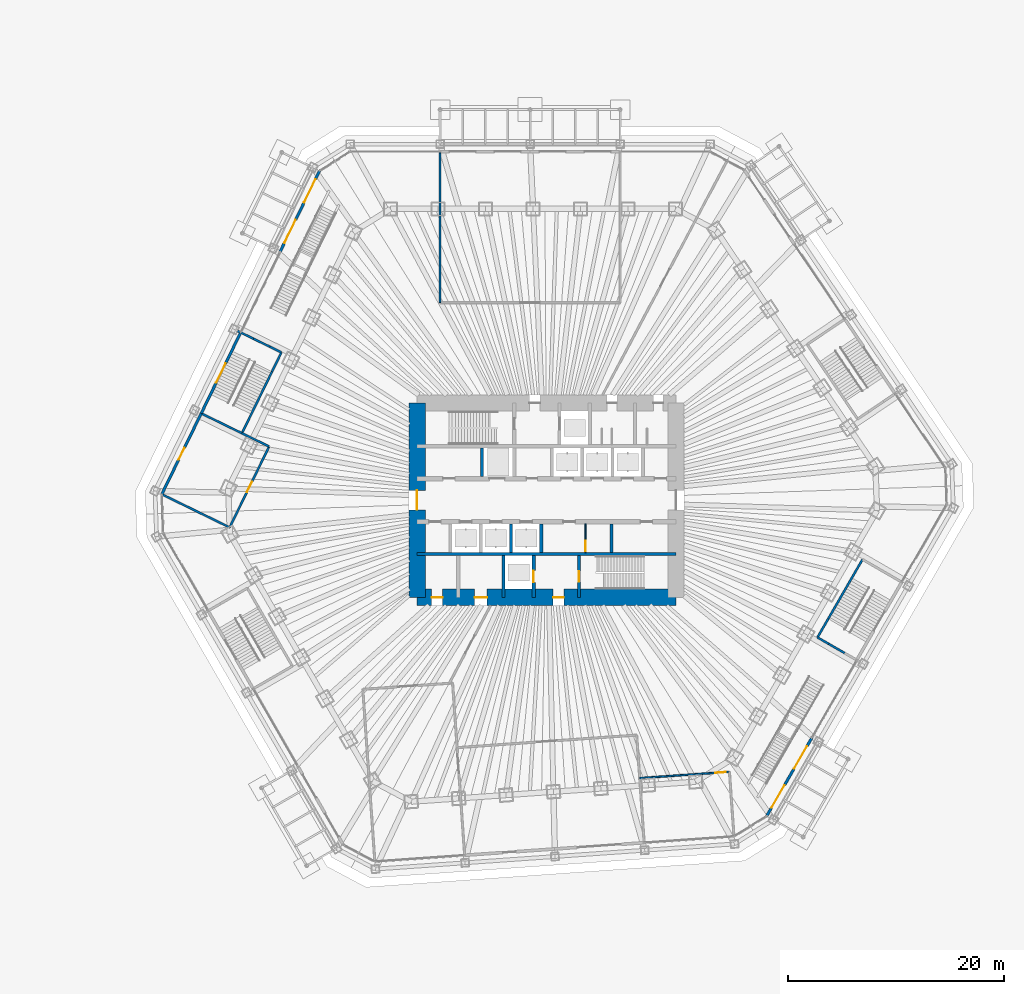
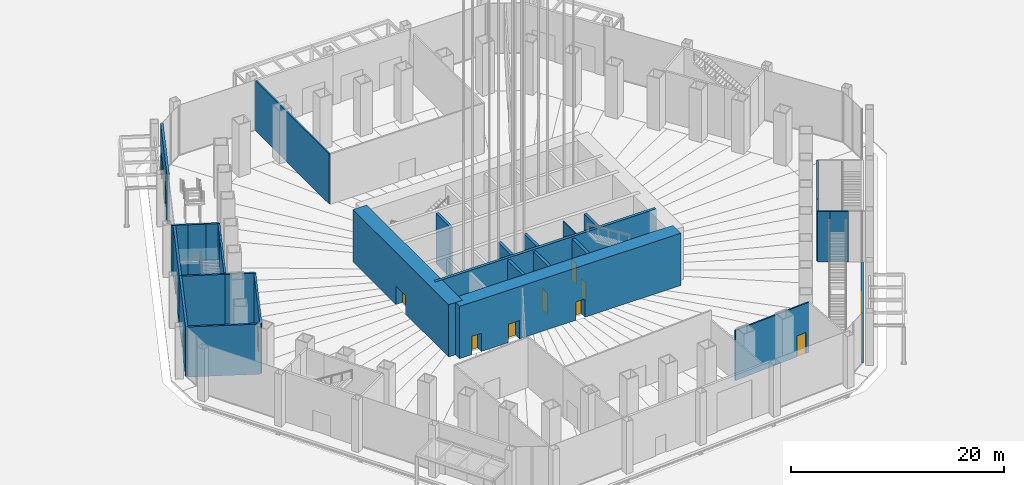
# One storey, part 28 of 45: 30 walls, 15 doors, 15 openings.
"""IFC4 building model written with IfcOpenShell, lengths in metres."""

from ifc_helpers import new_model, si_unit, direction, frame, frame_2d, origin, place, context, subcontext, project, spatial, rectangle, extrude, material, layer, layer_set, type_object, element, fill, save


model = new_model("IFC4")

# Units and contexts
model_context = context("Model", 3, precision=1e-05, world=origin(), true_north=direction((0.0, 1.0)))
body_context = subcontext(model_context, "Body", "Model", "MODEL_VIEW")
ifc_project = project(units=[si_unit("LENGTHUNIT", "METRE"), si_unit("AREAUNIT", "SQUARE_METRE"), si_unit("VOLUMEUNIT", "CUBIC_METRE"), si_unit("PLANEANGLEUNIT", "RADIAN"), si_unit("MASSUNIT", "GRAM", prefix="KILO")], contexts=[model_context])

# Site, building, storey
site_placement = place(None, origin())
site = spatial("IfcSite", under=ifc_project, at=site_placement, CompositionType="ELEMENT")
building_placement = place(site_placement, origin())
building = spatial("IfcBuilding", under=site, at=building_placement, Name="Qingtian Harvest Tower", CompositionType="ELEMENT")
storey_placement = place(building_placement, origin())
storey = spatial("IfcBuildingStorey", under=building, at=storey_placement, Name="L00", CompositionType="ELEMENT", Elevation=0.0)

# Walls
ifc_material_1 = material(Name="Concrete fc' 70 MPa", Category="concrete")
ifc_layer_1 = layer(ifc_material_1, 0.300048828125)
ifc_layer_set_1 = layer_set([ifc_layer_1], Name="Core inner wall RC5 300")
wall_type_1 = type_object("IfcWallType", Name="Core inner wall RC5 300", PredefinedType="SHEAR", material=ifc_layer_set_1)
wall_1_placement = place(storey_placement, frame((-12.0, -5.0, 0.0), z_axis=(0.0, 0.0, 1.0), x_axis=(1.0, 0.0, 0.0)))
element("IfcWall", 1, at=wall_1_placement, inside=storey, type_object=wall_type_1, Name="Core wall IS5 L00", PredefinedType="SHEAR", context=body_context, shape_type="SweptSolid", body=[
    extrude(rectangle(XDim=24.0, YDim=0.300048828125, at=frame_2d((12.0, 0.0))), origin(), (0.0, 0.0, 1.0), 6.0),
])
ifc_material_2 = material(Name="Precast concrete shaft panel", Category="concrete")
ifc_layer_2 = layer(ifc_material_2, 0.300048828125)
ifc_layer_set_2 = layer_set([ifc_layer_2], Name="Core shaft partition SW1 300")
wall_type_2 = type_object("IfcWallType", Name="Core shaft partition SW1 300", PredefinedType="PARTITIONING", material=ifc_layer_set_2)
for number, where, z_axis, x_axis, name in (
    (2, (-6.0, 2.199951171875, 0.0), (0.0, 0.0, 1.0), (0.0, 1.0, 0.0), "Core shaft partition XA1 L00"),
    (3, (-3.300048828125, -4.85009765625, 0.0), (0.0, 0.0, 1.0), (0.0, 1.0, 0.0), "Core shaft partition XB3 L00"),
    (4, (-0.5, -4.85009765625, 0.0), (0.0, 0.0, 1.0), (0.0, 1.0, 0.0), "Core shaft partition XB4 L00"),
    (5, (6.0, -4.85009765625, 0.0), (0.0, 0.0, 1.0), (0.0, 1.0, 0.0), "Core shaft partition XB5 L00"),
):
    element("IfcWall", number, at=place(storey_placement, frame(where, z_axis=z_axis, x_axis=x_axis)), inside=storey, type_object=wall_type_2, Name=name, PredefinedType="PARTITIONING", context=body_context, shape_type="SweptSolid", body=[
        extrude(rectangle(XDim=2.650146484375, YDim=0.300048828125, at=frame_2d((1.3251953125, 0.0))), origin(), (0.0, 0.0, 1.0), 5.780029296875),
    ])
wall_2_placement = place(storey_placement, frame((-4.0, -9.0, 0.0), z_axis=(0.0, 0.0, 1.0), x_axis=(0.0, 1.0, 0.0)))
element("IfcWall", 6, at=wall_2_placement, inside=storey, type_object=wall_type_2, Name="Core shaft partition XS2 L00", PredefinedType="PARTITIONING", context=body_context, shape_type="SweptSolid", body=[
    extrude(rectangle(XDim=3.85009765625, YDim=0.300048828125, at=frame_2d((1.925048828125, 0.0))), origin(), (0.0, 0.0, 1.0), 5.780029296875),
])

# Wall, opening, door
wall_3_placement = place(storey_placement, frame((-1.199951171875, -9.0, 0.0), z_axis=(0.0, 0.0, 1.0), x_axis=(0.0, 1.0, 0.0)))
wall_3 = element("IfcWall", 7, at=wall_3_placement, inside=storey, type_object=wall_type_2, Name="Core shaft partition XS3 L00", PredefinedType="PARTITIONING", context=body_context, shape_type="SweptSolid", body=[
    extrude(rectangle(XDim=3.85009765625, YDim=0.300048828125, at=frame_2d((1.925048828125, 0.0))), origin(), (0.0, 0.0, 1.0), 5.780029296875),
])
opening_1_placement = place(wall_3_placement, frame((1.375, 0.0, 0.0)))
opening_1 = element("IfcOpeningElement", 8, at=opening_1_placement, cuts=wall_3, Name="Opening LD1", PredefinedType="OPENING", context=body_context, shape_type="SweptSolid", body=[
    extrude(rectangle(XDim=1.10009765625, YDim=2.39990234375, at=frame_2d((0.550048828125, 1.199951171875))), frame((0.0, 0.159912109375, 0.0), z_axis=(0.0, -1.0, 0.0), x_axis=(1.0, 0.0, 0.0)), (0.0, 0.0, 1.0), 0.320068359375),
])
ifc_material_3 = material(Name="Stainless steel lift landing door", Category="steel")
door_type_1 = type_object("IfcDoorType", Name="Lift landing door LD1 1 HR", OperationType="DOUBLE_DOOR_SLIDING", PredefinedType="DOOR", material=ifc_material_3)
door_1_placement = place(opening_1_placement, origin())
door_1 = element("IfcDoor", 9, at=door_1_placement, inside=storey, type_object=door_type_1, Name="FL2 landing door L00", OperationType="DOUBLE_DOOR_SLIDING", OverallHeight=2.39990234375, OverallWidth=1.10009765625, PredefinedType="DOOR", context=body_context, shape_type="SweptSolid", body=[
    extrude(rectangle(XDim=1.10009765625, YDim=2.39990234375, at=frame_2d((0.550048828125, 1.199951171875))), frame((0.0, 0.02490234375, 0.0), z_axis=(0.0, -1.0, 0.0), x_axis=(1.0, 0.0, 0.0)), (0.0, 0.0, 1.0), 0.050048828125),
])
fill(opening_1, door_1)

wall_4_placement = place(storey_placement, frame((3.0, -9.0, 0.0), z_axis=(0.0, 0.0, 1.0), x_axis=(0.0, 1.0, 0.0)))
wall_4 = element("IfcWall", 10, at=wall_4_placement, inside=storey, type_object=wall_type_2, Name="Core shaft partition XS4 L00", PredefinedType="PARTITIONING", context=body_context, shape_type="SweptSolid", body=[
    extrude(rectangle(XDim=3.85009765625, YDim=0.300048828125, at=frame_2d((1.925048828125, 0.0))), origin(), (0.0, 0.0, 1.0), 5.780029296875),
])
opening_2_placement = place(wall_4_placement, frame((1.425048828125, 0.0, 0.0)))
opening_2 = element("IfcOpeningElement", 11, at=opening_2_placement, cuts=wall_4, Name="Opening FD1", PredefinedType="OPENING", context=body_context, shape_type="SweptSolid", body=[
    extrude(rectangle(XDim=1.0, YDim=2.10009765625, at=frame_2d((0.5, 1.050048828125))), frame((0.0, 0.159912109375, 0.0), z_axis=(0.0, -1.0, 0.0), x_axis=(1.0, 0.0, 0.0)), (0.0, 0.0, 1.0), 0.320068359375),
])
ifc_material_4 = material(Name="Steel-faced door leaf", Category="steel")
door_type_2 = type_object("IfcDoorType", Name="Fire door FD1 single 1 HR", OperationType="SINGLE_SWING_LEFT", PredefinedType="DOOR", material=ifc_material_4)
door_2_placement = place(opening_2_placement, origin())
door_2 = element("IfcDoor", 12, at=door_2_placement, inside=storey, type_object=door_type_2, Name="S2 door L00", OperationType="SINGLE_SWING_RIGHT", OverallHeight=2.10009765625, OverallWidth=1.0, PredefinedType="DOOR", context=body_context, shape_type="SweptSolid", body=[
    extrude(rectangle(XDim=1.0, YDim=2.10009765625, at=frame_2d((0.5, 1.050048828125))), frame((0.0, 0.02490234375, 0.0), z_axis=(0.0, -1.0, 0.0), x_axis=(1.0, 0.0, 0.0)), (0.0, 0.0, 1.0), 0.050048828125),
])
fill(opening_2, door_2)

# Wall, openings, doors
ifc_material_5 = material(Name="Concrete fc' 70 MPa", Category="concrete")
ifc_layer_3 = layer(ifc_material_5, 1.5)
ifc_layer_set_3 = layer_set([ifc_layer_3], Name="Core wall RC1 1500")
wall_type_3 = type_object("IfcWallType", Name="Core wall RC1 1500", PredefinedType="SHEAR", material=ifc_layer_set_3)
wall_5_placement = place(storey_placement, frame((-12.0, -9.0, 0.0), z_axis=(0.0, 0.0, 1.0), x_axis=(1.0, 0.0, 0.0)))
wall_5 = element("IfcWall", 13, at=wall_5_placement, inside=storey, type_object=wall_type_3, Name="Core wall CS L00", PredefinedType="SHEAR", context=body_context, shape_type="SweptSolid", body=[
    extrude(rectangle(XDim=24.0, YDim=1.5, at=frame_2d((12.0, 0.0))), origin(), (0.0, 0.0, 1.0), 6.0),
])
opening_3_placement = place(wall_5_placement, frame((1.35009765625, 0.0, 0.0)))
opening_3 = element("IfcOpeningElement", 14, at=opening_3_placement, cuts=wall_5, Name="Opening FD1", PredefinedType="OPENING", context=body_context, shape_type="SweptSolid", body=[
    extrude(rectangle(XDim=1.0, YDim=2.10009765625, at=frame_2d((0.5, 1.050048828125))), frame((0.0, 0.760009765625, 0.0), z_axis=(0.0, -1.0, 0.0), x_axis=(1.0, 0.0, 0.0)), (0.0, 0.0, 1.0), 1.52001953125),
])
opening_4_placement = place(wall_5_placement, frame((5.324951171875, 0.0, 0.0)))
opening_4 = element("IfcOpeningElement", 15, at=opening_4_placement, cuts=wall_5, Name="Opening AD1", PredefinedType="OPENING", context=body_context, shape_type="SweptSolid", body=[
    extrude(rectangle(XDim=1.14990234375, YDim=2.10009765625, at=frame_2d((0.574951171875, 1.050048828125))), frame((0.0, 0.760009765625, 0.0), z_axis=(0.0, -1.0, 0.0), x_axis=(1.0, 0.0, 0.0)), (0.0, 0.0, 1.0), 1.52001953125),
])
opening_5_placement = place(wall_5_placement, frame((12.60009765625, 0.0, 0.0)))
opening_5 = element("IfcOpeningElement", 16, at=opening_5_placement, cuts=wall_5, Name="Opening FD1", PredefinedType="OPENING", context=body_context, shape_type="SweptSolid", body=[
    extrude(rectangle(XDim=1.0, YDim=2.10009765625, at=frame_2d((0.5, 1.050048828125))), frame((0.0, 0.760009765625, 0.0), z_axis=(0.0, -1.0, 0.0), x_axis=(1.0, 0.0, 0.0)), (0.0, 0.0, 1.0), 1.52001953125),
])
ifc_material_6 = material(Name="Laminated timber door leaf", Category="wood")
door_type_3 = type_object("IfcDoorType", Name="Accessible WC door AD1 single", OperationType="SINGLE_SWING_LEFT", PredefinedType="DOOR", material=ifc_material_6)
door_3_placement = place(opening_4_placement, origin())
door_3 = element("IfcDoor", 17, at=door_3_placement, inside=storey, type_object=door_type_3, Name="AWC door L00", OperationType="SINGLE_SWING_LEFT", OverallHeight=2.10009765625, OverallWidth=1.14990234375, PredefinedType="DOOR", context=body_context, shape_type="SweptSolid", body=[
    extrude(rectangle(XDim=1.14990234375, YDim=2.10009765625, at=frame_2d((0.574951171875, 1.050048828125))), frame((0.0, 0.02490234375, 0.0), z_axis=(0.0, -1.0, 0.0), x_axis=(1.0, 0.0, 0.0)), (0.0, 0.0, 1.0), 0.050048828125),
])
fill(opening_4, door_3)
door_4_placement = place(opening_3_placement, origin())
door_4 = element("IfcDoor", 18, at=door_4_placement, inside=storey, type_object=door_type_2, Name="CLN door L00", OperationType="SINGLE_SWING_LEFT", OverallHeight=2.10009765625, OverallWidth=1.0, PredefinedType="DOOR", context=body_context, shape_type="SweptSolid", body=[
    extrude(rectangle(XDim=1.0, YDim=2.10009765625, at=frame_2d((0.5, 1.050048828125))), frame((0.0, 0.02490234375, 0.0), z_axis=(0.0, -1.0, 0.0), x_axis=(1.0, 0.0, 0.0)), (0.0, 0.0, 1.0), 0.050048828125),
])
fill(opening_3, door_4)
door_5_placement = place(opening_5_placement, origin())
door_5 = element("IfcDoor", 19, at=door_5_placement, inside=storey, type_object=door_type_2, Name="V2 door L00", OperationType="SINGLE_SWING_LEFT", OverallHeight=2.10009765625, OverallWidth=1.0, PredefinedType="DOOR", context=body_context, shape_type="SweptSolid", body=[
    extrude(rectangle(XDim=1.0, YDim=2.10009765625, at=frame_2d((0.5, 1.050048828125))), frame((0.0, 0.02490234375, 0.0), z_axis=(0.0, -1.0, 0.0), x_axis=(1.0, 0.0, 0.0)), (0.0, 0.0, 1.0), 0.050048828125),
])
fill(opening_5, door_5)

# Wall, opening, door
wall_6_placement = place(storey_placement, frame((-12.0, -9.0, 0.0), z_axis=(0.0, 0.0, 1.0), x_axis=(0.0, 1.0, 0.0)))
wall_6 = element("IfcWall", 20, at=wall_6_placement, inside=storey, type_object=wall_type_3, Name="Core wall CW L00", PredefinedType="SHEAR", context=body_context, shape_type="SweptSolid", body=[
    extrude(rectangle(XDim=18.0, YDim=1.5, at=frame_2d((9.0, 0.0))), origin(), (0.0, 0.0, 1.0), 6.0),
])
opening_6_placement = place(wall_6_placement, frame((8.10009765625, 0.0, 0.0)))
opening_6 = element("IfcOpeningElement", 21, at=opening_6_placement, cuts=wall_6, Name="Opening FD2", PredefinedType="OPENING", context=body_context, shape_type="SweptSolid", body=[
    extrude(rectangle(XDim=1.800048828125, YDim=2.10009765625, at=frame_2d((0.89990234375, 1.050048828125))), frame((0.0, 0.760009765625, 0.0), z_axis=(0.0, -1.0, 0.0), x_axis=(1.0, 0.0, 0.0)), (0.0, 0.0, 1.0), 1.52001953125),
])
ifc_material_7 = material(Name="Steel-faced door leaf", Category="steel")
door_type_4 = type_object("IfcDoorType", Name="Fire door FD2 double 1 HR", OperationType="DOUBLE_DOOR_DOUBLE_SWING", PredefinedType="DOOR", material=ifc_material_7)
door_6_placement = place(opening_6_placement, origin())
door_6 = element("IfcDoor", 22, at=door_6_placement, inside=storey, type_object=door_type_4, Name="LOBBY-W door L00", OperationType="DOUBLE_DOOR_DOUBLE_SWING", OverallHeight=2.10009765625, OverallWidth=1.800048828125, PredefinedType="DOOR", context=body_context, shape_type="SweptSolid", body=[
    extrude(rectangle(XDim=1.800048828125, YDim=2.10009765625, at=frame_2d((0.89990234375, 1.050048828125))), frame((0.0, 0.02490234375, 0.0), z_axis=(0.0, -1.0, 0.0), x_axis=(1.0, 0.0, 0.0)), (0.0, 0.0, 1.0), 0.050048828125),
])
fill(opening_6, door_6)

# Wall, openings, doors
ifc_material_8 = material(Name="Bronze-clad steel-framed screen wall with fire-rated lining", Category="steel")
ifc_layer_4 = layer(ifc_material_8, 0.25)
ifc_layer_set_4 = layer_set([ifc_layer_4], Name="Facade door bay wall FW2 250")
wall_type_4 = type_object("IfcWallType", Name="Facade door bay wall FW2 250", PredefinedType="SOLIDWALL", material=ifc_layer_set_4)
wall_7_placement = place(storey_placement, frame((24.5703125, -22.04296875, 0.0), z_axis=(0.0, 0.0, 1.0), x_axis=(-0.500004511595, -0.866022798998, 0.0)))
wall_7 = element("IfcWall", 23, at=wall_7_placement, inside=storey, type_object=wall_type_4, Name="Market hall entrance bay SE3", PredefinedType="SOLIDWALL", context=body_context, shape_type="SweptSolid", body=[
    extrude(rectangle(XDim=8.341796875, YDim=0.25, at=frame_2d((4.1708984375, 0.0))), origin(), (0.0, 0.0, 1.0), 5.75),
])
opening_7_placement = place(wall_7_placement, frame((0.885498046875, 0.0, 0.0)))
opening_7 = element("IfcOpeningElement", 24, at=opening_7_placement, cuts=wall_7, Name="Opening ED1", PredefinedType="OPENING", context=body_context, shape_type="SweptSolid", body=[
    extrude(rectangle(XDim=2.39990234375, YDim=3.0, at=frame_2d((1.199951171875, 1.5))), frame((0.0, 0.135009765625, 0.0), z_axis=(0.0, -1.0, 0.0), x_axis=(1.0, 0.0, 0.0)), (0.0, 0.0, 1.0), 0.27001953125),
])
opening_8_placement = place(wall_7_placement, frame((5.056396484375, 0.0, 0.0)))
opening_8 = element("IfcOpeningElement", 25, at=opening_8_placement, cuts=wall_7, Name="Opening ED1", PredefinedType="OPENING", context=body_context, shape_type="SweptSolid", body=[
    extrude(rectangle(XDim=2.39990234375, YDim=3.0, at=frame_2d((1.199951171875, 1.5))), frame((0.0, 0.135009765625, 0.0), z_axis=(0.0, -1.0, 0.0), x_axis=(1.0, 0.0, 0.0)), (0.0, 0.0, 1.0), 0.27001953125),
])
ifc_material_9 = material(Name="Bronze-framed glass door", Category="glass")
door_type_5 = type_object("IfcDoorType", Name="Entrance door ED1 double", OperationType="DOUBLE_DOOR_DOUBLE_SWING", PredefinedType="DOOR", material=ifc_material_9)
door_7_placement = place(opening_7_placement, origin())
door_7 = element("IfcDoor", 26, at=door_7_placement, inside=storey, type_object=door_type_5, Name="Market hall entrance SE3", OperationType="DOUBLE_DOOR_DOUBLE_SWING", OverallHeight=3.0, OverallWidth=2.39990234375, PredefinedType="DOOR", context=body_context, shape_type="SweptSolid", body=[
    extrude(rectangle(XDim=2.39990234375, YDim=3.0, at=frame_2d((1.199951171875, 1.5))), frame((0.0, 0.02490234375, 0.0), z_axis=(0.0, -1.0, 0.0), x_axis=(1.0, 0.0, 0.0)), (0.0, 0.0, 1.0), 0.050048828125),
])
fill(opening_7, door_7)
door_8_placement = place(opening_8_placement, origin())
door_8 = element("IfcDoor", 27, at=door_8_placement, inside=storey, type_object=door_type_5, Name="Market hall entrance SE3", OperationType="DOUBLE_DOOR_DOUBLE_SWING", OverallHeight=3.0, OverallWidth=2.39990234375, PredefinedType="DOOR", context=body_context, shape_type="SweptSolid", body=[
    extrude(rectangle(XDim=2.39990234375, YDim=3.0, at=frame_2d((1.199951171875, 1.5))), frame((0.0, 0.02490234375, 0.0), z_axis=(0.0, -1.0, 0.0), x_axis=(1.0, 0.0, 0.0)), (0.0, 0.0, 1.0), 0.050048828125),
])
fill(opening_8, door_8)

# Wall, opening, door
wall_8_placement = place(storey_placement, frame((-35.6708984375, 0.5458984375, 0.0), z_axis=(0.0, 0.0, 1.0), x_axis=(0.438388457998, 0.898785602852, 0.0)))
wall_8 = element("IfcWall", 28, at=wall_8_placement, inside=storey, type_object=wall_type_4, Name="Fire command centre door bay NW0", PredefinedType="SOLIDWALL", context=body_context, shape_type="SweptSolid", body=[
    extrude(rectangle(XDim=8.341796875, YDim=0.25, at=frame_2d((4.1708984375, 0.0))), origin(), (0.0, 0.0, 1.0), 5.75),
])
opening_9_placement = place(wall_8_placement, frame((3.57080078125, 0.0, 0.0)))
opening_9 = element("IfcOpeningElement", 29, at=opening_9_placement, cuts=wall_8, Name="Opening SD1", PredefinedType="OPENING", context=body_context, shape_type="SweptSolid", body=[
    extrude(rectangle(XDim=1.199951171875, YDim=2.10009765625, at=frame_2d((0.60009765625, 1.050048828125))), frame((0.0, 0.135009765625, 0.0), z_axis=(0.0, -1.0, 0.0), x_axis=(1.0, 0.0, 0.0)), (0.0, 0.0, 1.0), 0.27001953125),
])
ifc_material_10 = material(Name="Steel-faced door leaf", Category="steel")
door_type_6 = type_object("IfcDoorType", Name="Service door SD1 single", OperationType="SINGLE_SWING_LEFT", PredefinedType="DOOR", material=ifc_material_10)
door_9_placement = place(opening_9_placement, origin())
door_9 = element("IfcDoor", 30, at=door_9_placement, inside=storey, type_object=door_type_6, Name="Fire command centre door NW0", OperationType="SINGLE_SWING_RIGHT", OverallHeight=2.10009765625, OverallWidth=1.199951171875, PredefinedType="DOOR", context=body_context, shape_type="SweptSolid", body=[
    extrude(rectangle(XDim=1.199951171875, YDim=2.10009765625, at=frame_2d((0.60009765625, 1.050048828125))), frame((0.0, 0.02490234375, 0.0), z_axis=(0.0, -1.0, 0.0), x_axis=(1.0, 0.0, 0.0)), (0.0, 0.0, 1.0), 0.050048828125),
])
fill(opening_9, door_9)

wall_9_placement = place(storey_placement, frame((-32.013916015625, 8.04345703125, 0.0), z_axis=(0.0, 0.0, 1.0), x_axis=(0.438364815309, 0.898797134341, 0.0)))
wall_9 = element("IfcWall", 31, at=wall_9_placement, inside=storey, type_object=wall_type_4, Name="Exit stair discharge door bay NW1", PredefinedType="SOLIDWALL", context=body_context, shape_type="SweptSolid", body=[
    extrude(rectangle(XDim=8.341796875, YDim=0.25, at=frame_2d((4.1708984375, 0.0))), origin(), (0.0, 0.0, 1.0), 5.75),
])
opening_10_placement = place(wall_9_placement, frame((3.1708984375, 0.0, 0.0)))
opening_10 = element("IfcOpeningElement", 32, at=opening_10_placement, cuts=wall_9, Name="Opening XD1", PredefinedType="OPENING", context=body_context, shape_type="SweptSolid", body=[
    extrude(rectangle(XDim=2.0, YDim=2.39990234375, at=frame_2d((1.0, 1.199951171875))), frame((0.0, 0.135009765625, 0.0), z_axis=(0.0, -1.0, 0.0), x_axis=(1.0, 0.0, 0.0)), (0.0, 0.0, 1.0), 0.27001953125),
])
ifc_material_11 = material(Name="Steel-faced door leaf", Category="steel")
door_type_7 = type_object("IfcDoorType", Name="Exit discharge door XD1 double", OperationType="DOUBLE_DOOR_DOUBLE_SWING", PredefinedType="DOOR", material=ifc_material_11)
door_10_placement = place(opening_10_placement, origin())
door_10 = element("IfcDoor", 33, at=door_10_placement, inside=storey, type_object=door_type_7, Name="Exit stair discharge door NW1", OperationType="DOUBLE_DOOR_DOUBLE_SWING", OverallHeight=2.39990234375, OverallWidth=2.0, PredefinedType="DOOR", context=body_context, shape_type="SweptSolid", body=[
    extrude(rectangle(XDim=2.0, YDim=2.39990234375, at=frame_2d((1.0, 1.199951171875))), frame((0.0, 0.02490234375, 0.0), z_axis=(0.0, -1.0, 0.0), x_axis=(1.0, 0.0, 0.0)), (0.0, 0.0, 1.0), 0.050048828125),
])
fill(opening_10, door_10)

# Wall, openings, doors
wall_10_placement = place(storey_placement, frame((-24.700439453125, 23.03857421875, 0.0), z_axis=(0.0, 0.0, 1.0), x_axis=(0.438364815309, 0.898797134341, 0.0)))
wall_10 = element("IfcWall", 34, at=wall_10_placement, inside=storey, type_object=wall_type_4, Name="Market hall entrance bay NW3", PredefinedType="SOLIDWALL", context=body_context, shape_type="SweptSolid", body=[
    extrude(rectangle(XDim=8.341796875, YDim=0.25, at=frame_2d((4.1708984375, 0.0))), origin(), (0.0, 0.0, 1.0), 5.75),
])
opening_11_placement = place(wall_10_placement, frame((0.885498046875, 0.0, 0.0)))
opening_11 = element("IfcOpeningElement", 35, at=opening_11_placement, cuts=wall_10, Name="Opening ED1", PredefinedType="OPENING", context=body_context, shape_type="SweptSolid", body=[
    extrude(rectangle(XDim=2.39990234375, YDim=3.0, at=frame_2d((1.199951171875, 1.5))), frame((0.0, 0.135009765625, 0.0), z_axis=(0.0, -1.0, 0.0), x_axis=(1.0, 0.0, 0.0)), (0.0, 0.0, 1.0), 0.27001953125),
])
opening_12_placement = place(wall_10_placement, frame((5.056396484375, 0.0, 0.0)))
opening_12 = element("IfcOpeningElement", 36, at=opening_12_placement, cuts=wall_10, Name="Opening ED1", PredefinedType="OPENING", context=body_context, shape_type="SweptSolid", body=[
    extrude(rectangle(XDim=2.39990234375, YDim=3.0, at=frame_2d((1.199951171875, 1.5))), frame((0.0, 0.135009765625, 0.0), z_axis=(0.0, -1.0, 0.0), x_axis=(1.0, 0.0, 0.0)), (0.0, 0.0, 1.0), 0.27001953125),
])
door_11_placement = place(opening_11_placement, origin())
door_11 = element("IfcDoor", 37, at=door_11_placement, inside=storey, type_object=door_type_5, Name="Market hall entrance NW3", OperationType="DOUBLE_DOOR_DOUBLE_SWING", OverallHeight=3.0, OverallWidth=2.39990234375, PredefinedType="DOOR", context=body_context, shape_type="SweptSolid", body=[
    extrude(rectangle(XDim=2.39990234375, YDim=3.0, at=frame_2d((1.199951171875, 1.5))), frame((0.0, 0.02490234375, 0.0), z_axis=(0.0, -1.0, 0.0), x_axis=(1.0, 0.0, 0.0)), (0.0, 0.0, 1.0), 0.050048828125),
])
fill(opening_11, door_11)
door_12_placement = place(opening_12_placement, origin())
door_12 = element("IfcDoor", 38, at=door_12_placement, inside=storey, type_object=door_type_5, Name="Market hall entrance NW3", OperationType="DOUBLE_DOOR_DOUBLE_SWING", OverallHeight=3.0, OverallWidth=2.39990234375, PredefinedType="DOOR", context=body_context, shape_type="SweptSolid", body=[
    extrude(rectangle(XDim=2.39990234375, YDim=3.0, at=frame_2d((1.199951171875, 1.5))), frame((0.0, 0.02490234375, 0.0), z_axis=(0.0, -1.0, 0.0), x_axis=(1.0, 0.0, 0.0)), (0.0, 0.0, 1.0), 0.050048828125),
])
fill(opening_12, door_12)

# Walls
ifc_material_12 = material(Name="Blockwork fire wall", Category="masonry")
ifc_layer_5 = layer(ifc_material_12, 0.199951171875)
ifc_layer_set_5 = layer_set([ifc_layer_5], Name="Fire partition FW1 200")
wall_type_5 = type_object("IfcWallType", Name="Fire partition FW1 200", PredefinedType="PARTITIONING", material=ifc_layer_set_5)
wall_11_placement = place(storey_placement, frame((-35.580810546875, 0.501953125, 0.0), z_axis=(0.0, 0.0, 1.0), x_axis=(0.898799388667, -0.438360193142, 0.0)))
element("IfcWall", 39, at=wall_11_placement, inside=storey, type_object=wall_type_5, Name="Fire command centre wall L00", PredefinedType="PARTITIONING", context=body_context, shape_type="SweptSolid", body=[
    extrude(rectangle(XDim=6.89990234375, YDim=0.199951171875, at=frame_2d((3.449951171875, 0.0))), origin(), (0.0, 0.0, 1.0), 5.75),
])
wall_12_placement = place(storey_placement, frame((-28.239013671875, 6.2021484375, 0.0), z_axis=(0.0, 0.0, 1.0), x_axis=(0.898812855928, -0.438332579235, 0.0)))
element("IfcWall", 40, at=wall_12_placement, inside=storey, type_object=wall_type_5, Name="Fire command centre wall L00", PredefinedType="PARTITIONING", context=body_context, shape_type="SweptSolid", body=[
    extrude(rectangle(XDim=2.7998046875, YDim=0.199951171875, at=frame_2d((1.39990234375, 0.0))), origin(), (0.0, 0.0, 1.0), 5.75),
])

# Wall, opening, door
wall_13_placement = place(storey_placement, frame((-29.379150390625, -2.522705078125, 0.0), z_axis=(0.0, 0.0, 1.0), x_axis=(0.438364815309, 0.898797134341, 0.0)))
wall_13 = element("IfcWall", 41, at=wall_13_placement, inside=storey, type_object=wall_type_5, Name="Fire command centre wall L00", PredefinedType="PARTITIONING", context=body_context, shape_type="SweptSolid", body=[
    extrude(rectangle(XDim=8.341796875, YDim=0.199951171875, at=frame_2d((4.1708984375, 0.0))), origin(), (0.0, 0.0, 1.0), 5.75),
])
opening_13_placement = place(wall_13_placement, frame((3.620849609375, 0.0, 0.0)))
opening_13 = element("IfcOpeningElement", 42, at=opening_13_placement, cuts=wall_13, Name="Opening FD4", PredefinedType="OPENING", context=body_context, shape_type="SweptSolid", body=[
    extrude(rectangle(XDim=1.10009765625, YDim=2.10009765625, at=frame_2d((0.550048828125, 1.050048828125))), frame((0.0, 0.10986328125, 0.0), z_axis=(0.0, -1.0, 0.0), x_axis=(1.0, 0.0, 0.0)), (0.0, 0.0, 1.0), 0.219970703125),
])
ifc_material_13 = material(Name="Steel-faced door leaf", Category="steel")
door_type_8 = type_object("IfcDoorType", Name="Fire door FD4 single 2 HR", OperationType="SINGLE_SWING_LEFT", PredefinedType="DOOR", material=ifc_material_13)
door_13_placement = place(opening_13_placement, origin())
door_13 = element("IfcDoor", 43, at=door_13_placement, inside=storey, type_object=door_type_8, Name="Fire command centre door L00", OperationType="SINGLE_SWING_RIGHT", OverallHeight=2.10009765625, OverallWidth=1.10009765625, PredefinedType="DOOR", context=body_context, shape_type="SweptSolid", body=[
    extrude(rectangle(XDim=1.10009765625, YDim=2.10009765625, at=frame_2d((0.550048828125, 1.050048828125))), frame((0.0, 0.02490234375, 0.0), z_axis=(0.0, -1.0, 0.0), x_axis=(1.0, 0.0, 0.0)), (0.0, 0.0, 1.0), 0.050048828125),
])
fill(opening_13, door_13)

# Walls
wall_14_placement = place(storey_placement, frame((29.274658203125, -5.49462890625, 0.0), z_axis=(0.0, 0.0, 1.0), x_axis=(-0.499976503915, -0.866038968831, 0.0)))
element("IfcWall", 44, at=wall_14_placement, inside=storey, type_object=wall_type_5, Name="Exit stair P2 enclosure L00", PredefinedType="PARTITIONING", context=body_context, shape_type="SweptSolid", body=[
    extrude(rectangle(XDim=6.349853515625, YDim=0.199951171875, at=frame_2d((3.1748046875, 0.0))), origin(), (0.0, 0.0, 1.0), 5.75),
])
wall_15_placement = place(storey_placement, frame((27.615478515625, -14.168701171875, 0.0), z_axis=(0.0, 0.0, 1.0), x_axis=(-0.866087547558, 0.499892348375, 0.0)))
element("IfcWall", 45, at=wall_15_placement, inside=storey, type_object=wall_type_5, Name="Exit stair P2 enclosure L00", PredefinedType="PARTITIONING", context=body_context, shape_type="SweptSolid", body=[
    extrude(rectangle(XDim=1.699951171875, YDim=0.199951171875, at=frame_2d((0.85009765625, 0.0))), origin(), (0.0, 0.0, 1.0), 5.75),
])
wall_16_placement = place(storey_placement, frame((26.14306640625, -13.31884765625, 0.0), z_axis=(0.0, 0.0, 1.0), x_axis=(-0.865955154139, 0.50012165622, 0.0)))
element("IfcWall", 46, at=wall_16_placement, inside=storey, type_object=wall_type_5, Name="Exit stair P2 enclosure L00", PredefinedType="PARTITIONING", context=body_context, shape_type="SweptSolid", body=[
    extrude(rectangle(XDim=1.199951171875, YDim=0.199951171875, at=frame_2d((0.60009765625, 0.0))), origin(), (0.0, 0.0, 1.0), 5.75),
])
wall_17_placement = place(storey_placement, frame((26.099853515625, -10.993896484375, 0.0), z_axis=(0.0, 0.0, 1.0), x_axis=(-0.500001870701, -0.866024323732, 0.0)))
element("IfcWall", 47, at=wall_17_placement, inside=storey, type_object=wall_type_5, Name="Exit stair P2 enclosure L00", PredefinedType="PARTITIONING", context=body_context, shape_type="SweptSolid", body=[
    extrude(rectangle(XDim=1.99169921875, YDim=0.199951171875, at=frame_2d((0.995849609375, 0.0))), origin(), (0.0, 0.0, 1.0), 5.75),
])
wall_18_placement = place(storey_placement, frame((-31.924072265625, 7.99951171875, 0.0), z_axis=(0.0, 0.0, 1.0), x_axis=(0.898790191345, -0.438379050529, 0.0)))
element("IfcWall", 48, at=wall_18_placement, inside=storey, type_object=wall_type_5, Name="Exit stair P4 enclosure L00", PredefinedType="PARTITIONING", context=body_context, shape_type="SweptSolid", body=[
    extrude(rectangle(XDim=4.10009765625, YDim=0.199951171875, at=frame_2d((2.050048828125, 0.0))), origin(), (0.0, 0.0, 1.0), 5.75),
])
wall_19_placement = place(storey_placement, frame((-28.6494140625, 15.683349609375, 0.0), z_axis=(0.0, 0.0, 1.0), x_axis=(0.898859390649, -0.438237145667, 0.0)))
element("IfcWall", 49, at=wall_19_placement, inside=storey, type_object=wall_type_5, Name="Exit stair P4 enclosure L00", PredefinedType="PARTITIONING", context=body_context, shape_type="SweptSolid", body=[
    extrude(rectangle(XDim=1.625, YDim=0.199951171875, at=frame_2d((0.8125, 0.0))), origin(), (0.0, 0.0, 1.0), 5.75),
])
wall_20_placement = place(storey_placement, frame((-28.239013671875, 6.2021484375, 0.0), z_axis=(0.0, 0.0, 1.0), x_axis=(0.438364548315, 0.89879726456, 0.0)))
element("IfcWall", 50, at=wall_20_placement, inside=storey, type_object=wall_type_5, Name="Exit stair P4 enclosure L00", PredefinedType="PARTITIONING", context=body_context, shape_type="SweptSolid", body=[
    extrude(rectangle(XDim=6.35009765625, YDim=0.199951171875, at=frame_2d((3.175048828125, 0.0))), origin(), (0.0, 0.0, 1.0), 5.75),
])
wall_21_placement = place(storey_placement, frame((-27.188720703125, 14.97119140625, 0.0), z_axis=(0.0, 0.0, 1.0), x_axis=(0.898750501486, -0.438460415634, 0.0)))
element("IfcWall", 51, at=wall_21_placement, inside=storey, type_object=wall_type_5, Name="Exit stair P4 enclosure L00", PredefinedType="PARTITIONING", context=body_context, shape_type="SweptSolid", body=[
    extrude(rectangle(XDim=1.699951171875, YDim=0.199951171875, at=frame_2d((0.85009765625, 0.0))), origin(), (0.0, 0.0, 1.0), 5.75),
])
wall_22_placement = place(storey_placement, frame((-25.660888671875, 14.225830078125, 0.0), z_axis=(0.0, 0.0, 1.0), x_axis=(0.898778221275, -0.43840359141, 0.0)))
element("IfcWall", 52, at=wall_22_placement, inside=storey, type_object=wall_type_5, Name="Exit stair P4 enclosure L00", PredefinedType="PARTITIONING", context=body_context, shape_type="SweptSolid", body=[
    extrude(rectangle(XDim=1.2001953125, YDim=0.199951171875, at=frame_2d((0.60009765625, 0.0))), origin(), (0.0, 0.0, 1.0), 5.75),
])
wall_23_placement = place(storey_placement, frame((-25.455322265625, 11.90966796875, 0.0), z_axis=(0.0, 0.0, 1.0), x_axis=(0.438365666617, 0.898796719137, 0.0)))
element("IfcWall", 53, at=wall_23_placement, inside=storey, type_object=wall_type_5, Name="Exit stair P4 enclosure L00", PredefinedType="PARTITIONING", context=body_context, shape_type="SweptSolid", body=[
    extrude(rectangle(XDim=1.99169921875, YDim=0.199951171875, at=frame_2d((0.995849609375, 0.0))), origin(), (0.0, 0.0, 1.0), 5.75),
])
ifc_material_14 = material(Name="Fire-rated gypsum board on steel studs", Category="steel")
ifc_layer_6 = layer(ifc_material_14, 0.14990234375)
ifc_layer_set_6 = layer_set([ifc_layer_6], Name="Fire partition FW3 150 1 HR")
wall_type_6 = type_object("IfcWallType", Name="Fire partition FW3 150 1 HR", PredefinedType="PARTITIONING", material=ifc_layer_set_6)
wall_24_placement = place(storey_placement, frame((-9.87890625, 32.199951171875, 0.0), z_axis=(0.0, 0.0, 1.0), x_axis=(0.0, -1.0, 0.0)))
element("IfcWall", 54, at=wall_24_placement, inside=storey, type_object=wall_type_6, Name="Tower lobby wall L00", PredefinedType="PARTITIONING", context=body_context, shape_type="SweptSolid", body=[
    extrude(rectangle(XDim=13.89990234375, YDim=0.14990234375, at=frame_2d((6.949951171875, 0.0))), origin(), (0.0, 0.0, 1.0), 5.75),
])

# Wall, opening, door
ifc_material_15 = material(Name="Gypsum board on steel studs", Category="steel")
ifc_layer_7 = layer(ifc_material_15, 0.14990234375)
ifc_layer_set_7 = layer_set([ifc_layer_7], Name="Partition PT1 150")
wall_type_7 = type_object("IfcWallType", Name="Partition PT1 150", PredefinedType="PARTITIONING", material=ifc_layer_set_7)
wall_25_placement = place(storey_placement, frame((16.944091796875, -25.179443359375, 0.0), z_axis=(0.0, 0.0, 1.0), x_axis=(-0.997564977604, -0.069743210844, 0.0)))
wall_25 = element("IfcWall", 55, at=wall_25_placement, inside=storey, type_object=wall_type_7, Name="Staff WC wall L00", PredefinedType="PARTITIONING", context=body_context, shape_type="SweptSolid", body=[
    extrude(rectangle(XDim=8.341796875, YDim=0.14990234375, at=frame_2d((4.1708984375, 0.0))), origin(), (0.0, 0.0, 1.0), 5.75),
])
opening_14_placement = place(wall_25_placement, frame((0.334228515625, 0.0, 0.0)))
opening_14 = element("IfcOpeningElement", 56, at=opening_14_placement, cuts=wall_25, Name="Opening D2", PredefinedType="OPENING", context=body_context, shape_type="SweptSolid", body=[
    extrude(rectangle(XDim=1.0, YDim=2.39990234375, at=frame_2d((0.5, 1.199951171875))), frame((0.0, 0.0849609375, 0.0), z_axis=(0.0, -1.0, 0.0), x_axis=(1.0, 0.0, 0.0)), (0.0, 0.0, 1.0), 0.169921875),
])
ifc_material_16 = material(Name="Laminated timber door leaf", Category="wood")
door_type_9 = type_object("IfcDoorType", Name="Room door D2 single", OperationType="SINGLE_SWING_LEFT", PredefinedType="DOOR", material=ifc_material_16)
door_14_placement = place(opening_14_placement, origin())
door_14 = element("IfcDoor", 57, at=door_14_placement, inside=storey, type_object=door_type_9, Name="Staff WC door L00", OperationType="SINGLE_SWING_LEFT", OverallHeight=2.39990234375, OverallWidth=1.0, PredefinedType="DOOR", context=body_context, shape_type="SweptSolid", body=[
    extrude(rectangle(XDim=1.0, YDim=2.39990234375, at=frame_2d((0.5, 1.199951171875))), frame((0.0, 0.02490234375, 0.0), z_axis=(0.0, -1.0, 0.0), x_axis=(1.0, 0.0, 0.0)), (0.0, 0.0, 1.0), 0.050048828125),
])
fill(opening_14, door_14)

ifc_material_17 = material(Name="Concrete block partition", Category="concrete")
ifc_layer_8 = layer(ifc_material_17, 0.10009765625)
ifc_layer_set_8 = layer_set([ifc_layer_8], Name="Store partition PT3 100")
wall_type_8 = type_object("IfcWallType", Name="Store partition PT3 100", PredefinedType="PARTITIONING", material=ifc_layer_set_8)
wall_26_placement = place(storey_placement, frame((3.60009765625, -4.85009765625, 0.0), z_axis=(0.0, 0.0, 1.0), x_axis=(0.0, 1.0, 0.0)))
wall_26 = element("IfcWall", 58, at=wall_26_placement, inside=storey, type_object=wall_type_8, Name="Security equipment room wall L00", PredefinedType="PARTITIONING", context=body_context, shape_type="SweptSolid", body=[
    extrude(rectangle(XDim=2.650146484375, YDim=0.10009765625, at=frame_2d((1.3251953125, 0.0))), origin(), (0.0, 0.0, 1.0), 5.780029296875),
])
opening_15_placement = place(wall_26_placement, frame((0.10009765625, 0.0, 0.0)))
opening_15 = element("IfcOpeningElement", 59, at=opening_15_placement, cuts=wall_26, Name="Opening D2", PredefinedType="OPENING", context=body_context, shape_type="SweptSolid", body=[
    extrude(rectangle(XDim=1.0, YDim=2.39990234375, at=frame_2d((0.5, 1.199951171875))), frame((0.0, 0.06005859375, 0.0), z_axis=(0.0, -1.0, 0.0), x_axis=(1.0, 0.0, 0.0)), (0.0, 0.0, 1.0), 0.1201171875),
])
door_15_placement = place(opening_15_placement, origin())
door_15 = element("IfcDoor", 60, at=door_15_placement, inside=storey, type_object=door_type_9, Name="Security equipment room door L00", OperationType="SINGLE_SWING_LEFT", OverallHeight=2.39990234375, OverallWidth=1.0, PredefinedType="DOOR", context=body_context, shape_type="SweptSolid", body=[
    extrude(rectangle(XDim=1.0, YDim=2.39990234375, at=frame_2d((0.5, 1.199951171875))), frame((0.0, 0.02490234375, 0.0), z_axis=(0.0, -1.0, 0.0), x_axis=(1.0, 0.0, 0.0)), (0.0, 0.0, 1.0), 0.050048828125),
])
fill(opening_15, door_15)

save(model, "model.ifc")
